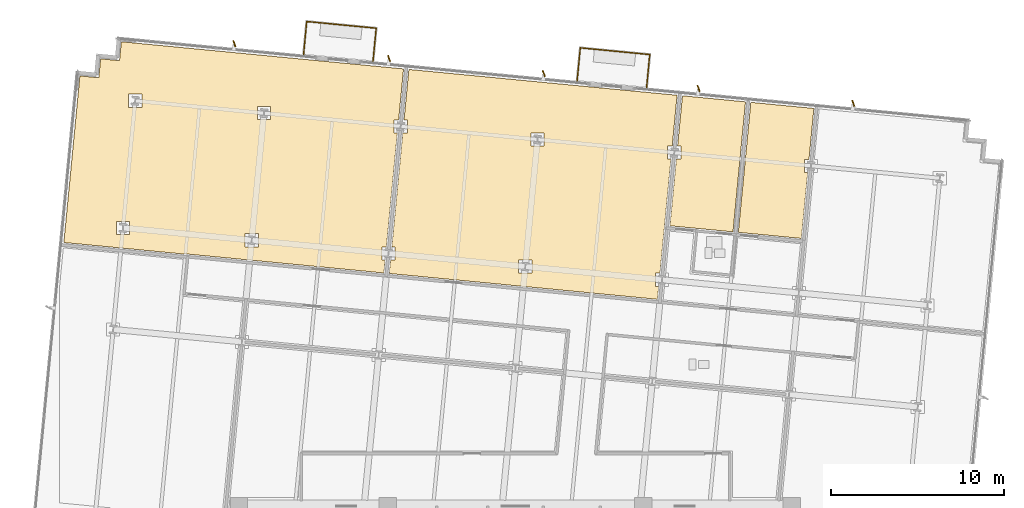
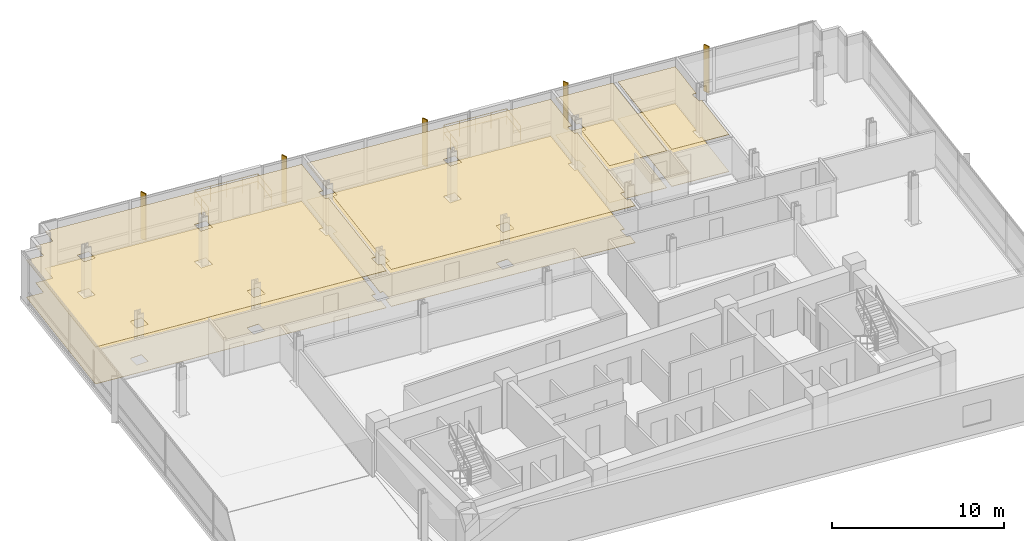
# One storey, part 16 of 17: 8 coverings, 6 railings, 5 shading devices.
"""IFC4 building model written with IfcOpenShell, lengths in metres."""

from ifc_helpers import new_model, si_unit, direction, frame, origin, origin_2d, place, context, subcontext, project, spatial, polyline, rectangle, circle, outline, extrude, material, layer, layer_set, type_object, element, save


model = new_model("IFC4")

# Units and contexts
model_context = context("Model", 3, precision=1e-05, world=origin(), true_north=direction((0.0, 1.0)))
body_context = subcontext(model_context, "Body", "Model", "MODEL_VIEW")
ifc_project = project(units=[si_unit("LENGTHUNIT", "METRE"), si_unit("AREAUNIT", "SQUARE_METRE"), si_unit("VOLUMEUNIT", "CUBIC_METRE"), si_unit("PLANEANGLEUNIT", "RADIAN"), si_unit("MASSUNIT", "GRAM", prefix="KILO")], contexts=[model_context])

# Site, building, storey
site_placement = place(None, origin())
site = spatial("IfcSite", under=ifc_project, at=site_placement, CompositionType="ELEMENT")
building_placement = place(site_placement, origin())
building = spatial("IfcBuilding", under=site, at=building_placement, Name="Solmavex Isthmus Hotel", CompositionType="ELEMENT")
storey_placement = place(building_placement, frame((0.0, 0.0, 163.5)))
storey = spatial("IfcBuildingStorey", under=building, at=storey_placement, Name="L44", CompositionType="ELEMENT", Elevation=163.5)

# Coverings
ifc_material_1 = material(Name="Gypsum plasterboard lining", Category="gypsum")
ifc_layer_1 = layer(ifc_material_1, 0.030029296875)
ifc_layer_set_1 = layer_set([ifc_layer_1], Name="Gypsum plasterboard lining")
covering_type_1 = type_object("IfcCoveringType", Name="COV-CEIL-GYP", PredefinedType="CEILING", material=ifc_layer_set_1)
covering_1_placement = place(storey_placement, frame((0.0, 0.0, 2.6201171875)))
element("IfcCovering", 1, at=covering_1_placement, inside=storey, type_object=covering_type_1, Name="Suspended Acoustic Ceiling L44-RM01", PredefinedType="CEILING", context=body_context, shape_type="SweptSolid", body=[
    extrude(outline(polyline([(-19.121337890625, 12.088623046875), (-19.119384765625, 12.1083984375), (-7.61669921875, 11.000732421875), (-7.544189453125, 11.753662109375), (-7.73193359375, 11.753662109375), (-7.73193359375, 12.513671875), (-7.470947265625, 12.513671875), (-6.835693359375, 19.111572265625), (-7.0234375, 19.111572265625), (-7.0234375, 19.87158203125), (-6.762451171875, 19.87158203125), (-6.47900390625, 22.816162109375), (-21.99609375, 24.310302734375), (-22.8173828125, 24.389404296875), (-22.9228515625, 23.29443359375), (-24.017822265625, 23.39990234375), (-24.123291015625, 22.304931640625), (-25.218017578125, 22.410400390625), (-25.297119140625, 21.589111328125), (-26.14697265625, 12.764892578125), (-19.121337890625, 12.088623046875)]), holes=[polyline([(-14.942626953125, 19.874267578125), (-14.942626953125, 20.63427734375), (-14.1826171875, 20.63427734375), (-14.1826171875, 19.874267578125), (-14.942626953125, 19.874267578125)]), polyline([(-15.651123046875, 12.51611328125), (-15.651123046875, 13.276123046875), (-14.89111328125, 13.276123046875), (-14.89111328125, 12.51611328125), (-15.651123046875, 12.51611328125)]), polyline([(-22.396240234375, 20.591796875), (-22.396240234375, 21.351806640625), (-21.63623046875, 21.351806640625), (-21.63623046875, 20.591796875), (-22.396240234375, 20.591796875)]), polyline([(-23.104736328125, 13.23388671875), (-23.104736328125, 13.993896484375), (-22.3447265625, 13.993896484375), (-22.3447265625, 13.23388671875), (-23.104736328125, 13.23388671875)])]), origin(), (0.0, 0.0, 1.0), 0.02978515625),
])
covering_2_placement = place(storey_placement, frame((0.0, 0.0, 2.6201171875)))
element("IfcCovering", 2, at=covering_2_placement, inside=storey, type_object=covering_type_1, Name="Suspended Acoustic Ceiling L44-RM02", PredefinedType="CEILING", context=body_context, shape_type="SweptSolid", body=[
    extrude(outline(polyline([(-7.159423828125, 12.513671875), (-6.971923828125, 12.513671875), (-6.971923828125, 11.753662109375), (-7.232666015625, 11.753662109375), (-7.30810546875, 10.97119140625), (4.7333984375, 9.811767578125), (5.606201171875, 9.7275390625), (8.22216796875, 9.475830078125), (8.294677734375, 10.228515625), (8.10693359375, 10.228515625), (8.10693359375, 10.988525390625), (8.36767578125, 10.988525390625), (9.003173828125, 17.586669921875), (8.8154296875, 17.586669921875), (8.8154296875, 18.346435546875), (9.076171875, 18.346435546875), (9.35986328125, 21.291015625), (-6.17041015625, 22.786376953125), (-6.450927734375, 19.87158203125), (-6.263427734375, 19.87158203125), (-6.263427734375, 19.111572265625), (-6.524169921875, 19.111572265625), (-7.0146484375, 14.017822265625), (-7.159423828125, 12.513671875)]), holes=[polyline([(0.89599609375, 18.34912109375), (0.89599609375, 19.109130859375), (1.656005859375, 19.109130859375), (1.656005859375, 18.34912109375), (0.89599609375, 18.34912109375)]), polyline([(0.1875, 10.9912109375), (0.1875, 11.751220703125), (0.947509765625, 11.751220703125), (0.947509765625, 10.9912109375), (0.1875, 10.9912109375)])]), origin(), (0.0, 0.0, 1.0), 0.02978515625),
])
covering_3_placement = place(storey_placement, frame((0.0, 0.0, 2.6201171875)))
element("IfcCovering", 3, at=covering_3_placement, inside=storey, type_object=covering_type_1, Name="Suspended Acoustic Ceiling L44-HB03", PredefinedType="CEILING", context=body_context, shape_type="SweptSolid", body=[
    extrude(outline(polyline([(9.3876953125, 18.346435546875), (9.575439453125, 18.346435546875), (9.575439453125, 17.586669921875), (9.314453125, 17.586669921875), (8.943603515625, 13.734130859375), (12.5947265625, 13.382568359375), (13.319580078125, 20.909912109375), (9.66845703125, 21.261474609375), (9.3876953125, 18.346435546875)])), origin(), (0.0, 0.0, 1.0), 0.02978515625),
])
covering_4_placement = place(storey_placement, frame((0.0, 0.0, 2.6201171875)))
element("IfcCovering", 4, at=covering_4_placement, inside=storey, type_object=covering_type_1, Name="Suspended Acoustic Ceiling L44-HP03", PredefinedType="CEILING", context=body_context, shape_type="SweptSolid", body=[
    extrude(outline(polyline([(16.92236328125, 16.823974609375), (16.73486328125, 16.823974609375), (16.73486328125, 17.583984375), (16.99560546875, 17.583984375), (17.279052734375, 20.528564453125), (13.628173828125, 20.880126953125), (12.9033203125, 13.35302734375), (16.554443359375, 13.00146484375), (16.92236328125, 16.823974609375)])), origin(), (0.0, 0.0, 1.0), 0.02978515625),
])
ifc_material_2 = material(Name="Travertine natural stone", Category="masonry")
ifc_layer_2 = layer(ifc_material_2, 0.02490234375)
ifc_layer_set_2 = layer_set([ifc_layer_2], Name="Travertine natural stone")
covering_type_2 = type_object("IfcCoveringType", Name="COV-FLOR-STN", PredefinedType="FLOORING", material=ifc_layer_set_2)
covering_5_placement = place(storey_placement, origin())
element("IfcCovering", 5, at=covering_5_placement, inside=storey, type_object=covering_type_2, Name="Stone and Timber Floor Finish L44-RM01", PredefinedType="FLOORING", context=body_context, shape_type="SweptSolid", body=[
    extrude(outline(polyline([(-19.121337890625, 12.088623046875), (-19.119384765625, 12.1083984375), (-7.61669921875, 11.000732421875), (-7.544189453125, 11.753662109375), (-7.73193359375, 11.753662109375), (-7.73193359375, 12.513671875), (-7.470947265625, 12.513671875), (-6.835693359375, 19.111572265625), (-7.0234375, 19.111572265625), (-7.0234375, 19.87158203125), (-6.762451171875, 19.87158203125), (-6.47900390625, 22.816162109375), (-21.99609375, 24.310302734375), (-22.8173828125, 24.389404296875), (-22.9228515625, 23.29443359375), (-24.017822265625, 23.39990234375), (-24.123291015625, 22.304931640625), (-25.218017578125, 22.410400390625), (-25.297119140625, 21.589111328125), (-26.14697265625, 12.764892578125), (-19.121337890625, 12.088623046875)]), holes=[polyline([(-14.942626953125, 19.874267578125), (-14.942626953125, 20.63427734375), (-14.1826171875, 20.63427734375), (-14.1826171875, 19.874267578125), (-14.942626953125, 19.874267578125)]), polyline([(-15.651123046875, 12.51611328125), (-15.651123046875, 13.276123046875), (-14.89111328125, 13.276123046875), (-14.89111328125, 12.51611328125), (-15.651123046875, 12.51611328125)]), polyline([(-22.396240234375, 20.591796875), (-22.396240234375, 21.351806640625), (-21.63623046875, 21.351806640625), (-21.63623046875, 20.591796875), (-22.396240234375, 20.591796875)]), polyline([(-23.104736328125, 13.23388671875), (-23.104736328125, 13.993896484375), (-22.3447265625, 13.993896484375), (-22.3447265625, 13.23388671875), (-23.104736328125, 13.23388671875)])]), origin(), (0.0, 0.0, 1.0), 0.02490234375),
])
covering_6_placement = place(storey_placement, origin())
element("IfcCovering", 6, at=covering_6_placement, inside=storey, type_object=covering_type_2, Name="Stone and Timber Floor Finish L44-RM02", PredefinedType="FLOORING", context=body_context, shape_type="SweptSolid", body=[
    extrude(outline(polyline([(-7.159423828125, 12.513671875), (-6.971923828125, 12.513671875), (-6.971923828125, 11.753662109375), (-7.232666015625, 11.753662109375), (-7.30810546875, 10.97119140625), (4.7333984375, 9.811767578125), (5.606201171875, 9.7275390625), (8.22216796875, 9.475830078125), (8.294677734375, 10.228515625), (8.10693359375, 10.228515625), (8.10693359375, 10.988525390625), (8.36767578125, 10.988525390625), (9.003173828125, 17.586669921875), (8.8154296875, 17.586669921875), (8.8154296875, 18.346435546875), (9.076171875, 18.346435546875), (9.35986328125, 21.291015625), (-6.17041015625, 22.786376953125), (-6.450927734375, 19.87158203125), (-6.263427734375, 19.87158203125), (-6.263427734375, 19.111572265625), (-6.524169921875, 19.111572265625), (-7.0146484375, 14.017822265625), (-7.159423828125, 12.513671875)]), holes=[polyline([(0.89599609375, 18.34912109375), (0.89599609375, 19.109130859375), (1.656005859375, 19.109130859375), (1.656005859375, 18.34912109375), (0.89599609375, 18.34912109375)]), polyline([(0.1875, 10.9912109375), (0.1875, 11.751220703125), (0.947509765625, 11.751220703125), (0.947509765625, 10.9912109375), (0.1875, 10.9912109375)])]), origin(), (0.0, 0.0, 1.0), 0.02490234375),
])
covering_7_placement = place(storey_placement, origin())
element("IfcCovering", 7, at=covering_7_placement, inside=storey, type_object=covering_type_2, Name="Stone and Timber Floor Finish L44-HB03", PredefinedType="FLOORING", context=body_context, shape_type="SweptSolid", body=[
    extrude(outline(polyline([(9.3876953125, 18.346435546875), (9.575439453125, 18.346435546875), (9.575439453125, 17.586669921875), (9.314453125, 17.586669921875), (8.943603515625, 13.734130859375), (12.5947265625, 13.382568359375), (13.319580078125, 20.909912109375), (9.66845703125, 21.261474609375), (9.3876953125, 18.346435546875)])), origin(), (0.0, 0.0, 1.0), 0.02490234375),
])
covering_8_placement = place(storey_placement, origin())
element("IfcCovering", 8, at=covering_8_placement, inside=storey, type_object=covering_type_2, Name="Stone and Timber Floor Finish L44-HP03", PredefinedType="FLOORING", context=body_context, shape_type="SweptSolid", body=[
    extrude(outline(polyline([(16.92236328125, 16.823974609375), (16.73486328125, 16.823974609375), (16.73486328125, 17.583984375), (16.99560546875, 17.583984375), (17.279052734375, 20.528564453125), (13.628173828125, 20.880126953125), (12.9033203125, 13.35302734375), (16.554443359375, 13.00146484375), (16.92236328125, 16.823974609375)])), origin(), (0.0, 0.0, 1.0), 0.02490234375),
])

# Railings
ifc_material_3 = material(Name="Clear low-E laminated glass", Category="glass")
ifc_layer_3 = layer(ifc_material_3, 0.070068359375)
ifc_layer_set_3 = layer_set([ifc_layer_3], Name="Clear low-E laminated glass")
railing_type = type_object("IfcRailingType", Name="RAIL-GUARD-1100", PredefinedType="BALUSTRADE", material=ifc_layer_set_3)
railing_1_placement = place(storey_placement, frame((-12.268798828125, 23.64990234375, 0.0)))
element("IfcRailing", 9, at=railing_1_placement, inside=storey, type_object=railing_type, Name="Guardrail Balustrade L44-BAL1-01", PredefinedType="BALUSTRADE", context=body_context, shape_type="SweptSolid", body=[
    extrude(circle(Radius=0.02392578125, at=origin_2d()), frame((0.0, 0.0, 1.09619140625), z_axis=(0.095877165628, 0.995393173129, 0.0), x_axis=(-0.995393173129, 0.095877165628, 0.0)), (0.0, 0.0, 1.0), 1.919921875),
    extrude(circle(Radius=0.02392578125, at=origin_2d()), frame((0.0, 0.0, 0.56005859375), z_axis=(0.095877165628, 0.995393173129, 0.0), x_axis=(-0.995393173129, 0.095877165628, 0.0)), (0.0, 0.0, 1.0), 1.919921875),
    extrude(circle(Radius=0.02099609375, at=origin_2d()), origin(), (0.0, 0.0, 1.0), 1.072021484375),
    extrude(circle(Radius=0.02099609375, at=origin_2d()), frame((0.092041015625, 0.95556640625, 0.0)), (0.0, 0.0, 1.0), 1.072021484375),
    extrude(circle(Radius=0.02099609375, at=origin_2d()), frame((0.18408203125, 1.9111328125, 0.0)), (0.0, 0.0, 1.0), 1.072021484375),
])
railing_2_placement = place(storey_placement, frame((-12.084716796875, 25.56103515625, 0.0)))
element("IfcRailing", 10, at=railing_2_placement, inside=storey, type_object=railing_type, Name="Guardrail Balustrade L44-BAL1-02", PredefinedType="BALUSTRADE", context=body_context, shape_type="SweptSolid", body=[
    extrude(circle(Radius=0.02392578125, at=origin_2d()), frame((0.0, 0.0, 1.09619140625), z_axis=(0.995396620385, -0.095841369593, 0.0), x_axis=(0.095841369593, 0.995396620385, 0.0)), (0.0, 0.0, 1.0), 4.0400390625),
    extrude(circle(Radius=0.02392578125, at=origin_2d()), frame((0.0, 0.0, 0.56005859375), z_axis=(0.995396620385, -0.095841369593, 0.0), x_axis=(0.095841369593, 0.995396620385, 0.0)), (0.0, 0.0, 1.0), 4.0400390625),
    extrude(circle(Radius=0.02099609375, at=origin_2d()), origin(), (0.0, 0.0, 1.0), 1.072021484375),
    extrude(circle(Radius=0.02099609375, at=origin_2d()), frame((1.00537109375, -0.0966796875, 0.0)), (0.0, 0.0, 1.0), 1.072021484375),
    extrude(circle(Radius=0.02099609375, at=origin_2d()), frame((2.0107421875, -0.193603515625, 0.0)), (0.0, 0.0, 1.0), 1.072021484375),
    extrude(circle(Radius=0.02099609375, at=origin_2d()), frame((3.01611328125, -0.29052734375, 0.0)), (0.0, 0.0, 1.0), 1.072021484375),
    extrude(circle(Radius=0.02099609375, at=origin_2d()), frame((4.021484375, -0.38720703125, 0.0)), (0.0, 0.0, 1.0), 1.072021484375),
])
railing_3_placement = place(storey_placement, frame((-8.063232421875, 25.173828125, 0.0)))
element("IfcRailing", 11, at=railing_3_placement, inside=storey, type_object=railing_type, Name="Guardrail Balustrade L44-BAL1-03", PredefinedType="BALUSTRADE", context=body_context, shape_type="SweptSolid", body=[
    extrude(circle(Radius=0.02392578125, at=origin_2d()), frame((0.0, 0.0, 1.09619140625), z_axis=(-0.095877165628, -0.995393173129, 0.0), x_axis=(0.995393173129, -0.095877165628, 0.0)), (0.0, 0.0, 1.0), 1.919921875),
    extrude(circle(Radius=0.02392578125, at=origin_2d()), frame((0.0, 0.0, 0.56005859375), z_axis=(-0.095877165628, -0.995393173129, 0.0), x_axis=(0.995393173129, -0.095877165628, 0.0)), (0.0, 0.0, 1.0), 1.919921875),
    extrude(circle(Radius=0.02099609375, at=origin_2d()), origin(), (0.0, 0.0, 1.0), 1.072021484375),
    extrude(circle(Radius=0.02099609375, at=origin_2d()), frame((-0.092041015625, -0.95556640625, 0.0)), (0.0, 0.0, 1.0), 1.072021484375),
    extrude(circle(Radius=0.02099609375, at=origin_2d()), frame((-0.18408203125, -1.9111328125, 0.0)), (0.0, 0.0, 1.0), 1.072021484375),
])
railing_4_placement = place(storey_placement, frame((3.570068359375, 22.124755859375, 0.0)))
element("IfcRailing", 12, at=railing_4_placement, inside=storey, type_object=railing_type, Name="Guardrail Balustrade L44-BAL2-01", PredefinedType="BALUSTRADE", context=body_context, shape_type="SweptSolid", body=[
    extrude(circle(Radius=0.02392578125, at=origin_2d()), frame((0.0, 0.0, 1.09619140625), z_axis=(0.095865031769, 0.995394341798, 0.0), x_axis=(-0.995394341798, 0.095865031769, 0.0)), (0.0, 0.0, 1.0), 1.920166015625),
    extrude(circle(Radius=0.02392578125, at=origin_2d()), frame((0.0, 0.0, 0.56005859375), z_axis=(0.095865031769, 0.995394341798, 0.0), x_axis=(-0.995394341798, 0.095865031769, 0.0)), (0.0, 0.0, 1.0), 1.920166015625),
    extrude(circle(Radius=0.02099609375, at=origin_2d()), origin(), (0.0, 0.0, 1.0), 1.072021484375),
    extrude(circle(Radius=0.02099609375, at=origin_2d()), frame((0.092041015625, 0.95556640625, 0.0)), (0.0, 0.0, 1.0), 1.072021484375),
    extrude(circle(Radius=0.02099609375, at=origin_2d()), frame((0.18408203125, 1.911376953125, 0.0)), (0.0, 0.0, 1.0), 1.072021484375),
])
railing_5_placement = place(storey_placement, frame((3.754150390625, 24.0361328125, 0.0)))
element("IfcRailing", 13, at=railing_5_placement, inside=storey, type_object=railing_type, Name="Guardrail Balustrade L44-BAL2-02", PredefinedType="BALUSTRADE", context=body_context, shape_type="SweptSolid", body=[
    extrude(circle(Radius=0.02392578125, at=origin_2d()), frame((0.0, 0.0, 1.09619140625), z_axis=(0.995396065255, -0.095847134934, 0.0), x_axis=(0.095847134934, 0.995396065255, 0.0)), (0.0, 0.0, 1.0), 4.039794921875),
    extrude(circle(Radius=0.02392578125, at=origin_2d()), frame((0.0, 0.0, 0.56005859375), z_axis=(0.995396065255, -0.095847134934, 0.0), x_axis=(0.095847134934, 0.995396065255, 0.0)), (0.0, 0.0, 1.0), 4.039794921875),
    extrude(circle(Radius=0.02099609375, at=origin_2d()), origin(), (0.0, 0.0, 1.0), 1.072021484375),
    extrude(circle(Radius=0.02099609375, at=origin_2d()), frame((1.00537109375, -0.0966796875, 0.0)), (0.0, 0.0, 1.0), 1.072021484375),
    extrude(circle(Radius=0.02099609375, at=origin_2d()), frame((2.0107421875, -0.193603515625, 0.0)), (0.0, 0.0, 1.0), 1.072021484375),
    extrude(circle(Radius=0.02099609375, at=origin_2d()), frame((3.015869140625, -0.29052734375, 0.0)), (0.0, 0.0, 1.0), 1.072021484375),
    extrude(circle(Radius=0.02099609375, at=origin_2d()), frame((4.021240234375, -0.38720703125, 0.0)), (0.0, 0.0, 1.0), 1.072021484375),
])
railing_6_placement = place(storey_placement, frame((7.775390625, 23.64892578125, 0.0)))
element("IfcRailing", 14, at=railing_6_placement, inside=storey, type_object=railing_type, Name="Guardrail Balustrade L44-BAL2-03", PredefinedType="BALUSTRADE", context=body_context, shape_type="SweptSolid", body=[
    extrude(circle(Radius=0.02392578125, at=origin_2d()), frame((0.0, 0.0, 1.09619140625), z_axis=(-0.095739055962, -0.995406466306, 0.0), x_axis=(0.995406466306, -0.095739055962, 0.0)), (0.0, 0.0, 1.0), 1.920166015625),
    extrude(circle(Radius=0.02392578125, at=origin_2d()), frame((0.0, 0.0, 0.56005859375), z_axis=(-0.095739055962, -0.995406466306, 0.0), x_axis=(0.995406466306, -0.095739055962, 0.0)), (0.0, 0.0, 1.0), 1.920166015625),
    extrude(circle(Radius=0.02099609375, at=origin_2d()), origin(), (0.0, 0.0, 1.0), 1.072021484375),
    extrude(circle(Radius=0.02099609375, at=origin_2d()), frame((-0.091796875, -0.95556640625, 0.0)), (0.0, 0.0, 1.0), 1.072021484375),
    extrude(circle(Radius=0.02099609375, at=origin_2d()), frame((-0.183837890625, -1.911376953125, 0.0)), (0.0, 0.0, 1.0), 1.072021484375),
])

# Shading devices
ifc_material_4 = material(Name="Aluminium alloy 6063-T6", Category="aluminium")
shading_device_type = type_object("IfcShadingDeviceType", Name="SHD-FIN-CHAMP", PredefinedType="USERDEFINED", material=ifc_material_4)
for number, where, z_axis, x_axis, name in (
    (15, (-16.27294921875, 24.276611328125, -0.14013671875), (0.0, 0.0, 1.0), (-0.350207381259, 0.936672189248, 0.0), "Anodised Aluminium Solar Fin L44-N1"),
    (16, (-7.314453125, 23.4140625, -0.14013671875), (0.0, 0.0, 1.0), (-0.350207381259, 0.936672189248, 0.0), "Anodised Aluminium Solar Fin L44-N2"),
    (17, (1.64404296875, 22.551513671875, -0.14013671875), (0.0, 0.0, 1.0), (-0.350207381259, 0.936672189248, 0.0), "Anodised Aluminium Solar Fin L44-N3"),
    (18, (10.6025390625, 21.688720703125, -0.14013671875), (0.0, 0.0, 1.0), (-0.350207381259, 0.936672189248, 0.0), "Anodised Aluminium Solar Fin L44-N4"),
    (19, (19.561279296875, 20.826171875, -0.14013671875), (0.0, 0.0, 1.0), (-0.350207381259, 0.936672189248, 0.0), "Anodised Aluminium Solar Fin L44-N5"),
):
    element("IfcShadingDevice", number, at=place(storey_placement, frame(where, z_axis=z_axis, x_axis=x_axis)), inside=storey, type_object=shading_device_type, Name=name, ObjectType="SOLAR_FIN", PredefinedType="USERDEFINED", context=body_context, shape_type="SweptSolid", body=[
        extrude(rectangle(XDim=0.3798828125, YDim=0.070068359375, at=origin_2d()), origin(), (0.0, 0.0, 1.0), 3.330078125),
    ])

save(model, "model.ifc")
